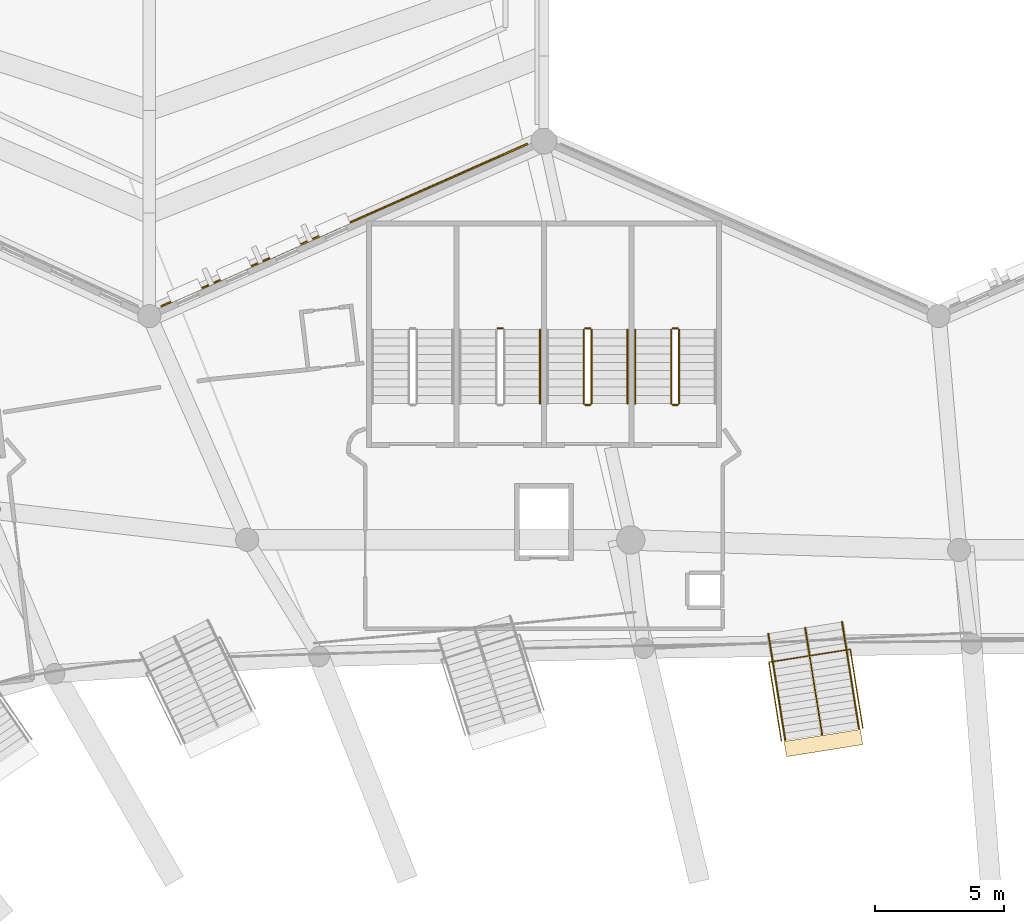
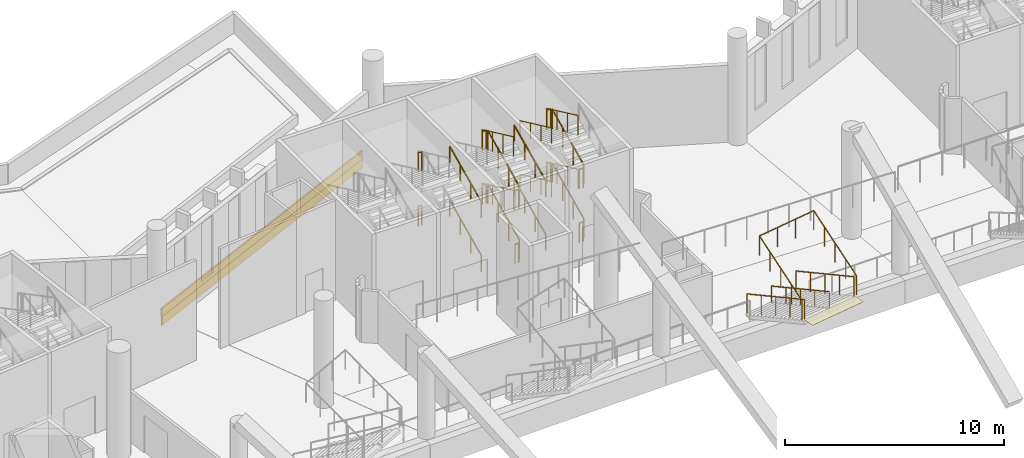
# One storey, part 156 of 173: 28 railings, 3 coverings.
"""IFC4 building model written with IfcOpenShell, lengths in metres."""

from ifc_helpers import new_model, si_unit, direction, frame, origin, origin_2d, place, context, subcontext, project, spatial, rectangle, circle, extrude, material, layer, layer_set, type_object, element, save


model = new_model("IFC4")

# Units and contexts
model_context = context("Model", 3, precision=1e-05, world=origin(), true_north=direction((0.0, 1.0)))
body_context = subcontext(model_context, "Body", "Model", "MODEL_VIEW")
ifc_project = project(units=[si_unit("LENGTHUNIT", "METRE"), si_unit("AREAUNIT", "SQUARE_METRE"), si_unit("VOLUMEUNIT", "CUBIC_METRE"), si_unit("PLANEANGLEUNIT", "RADIAN"), si_unit("MASSUNIT", "GRAM", prefix="KILO")], contexts=[model_context])

# Site, building, storey
site_placement = place(None, origin())
site = spatial("IfcSite", under=ifc_project, at=site_placement, CompositionType="ELEMENT")
building_placement = place(site_placement, origin())
building = spatial("IfcBuilding", under=site, at=building_placement, Name="Meseta Stadium", CompositionType="ELEMENT")
storey_placement = place(building_placement, frame((0.0, 0.0, 18.0)))
storey = spatial("IfcBuildingStorey", under=building, at=storey_placement, Name="L03", CompositionType="ELEMENT", Elevation=18.0)

# Covering
ifc_material_1 = material(Name="Guadarrama granite cladding", Category="masonry")
ifc_layer_1 = layer(ifc_material_1, 0.06005859375)
ifc_layer_set_1 = layer_set([ifc_layer_1], Name="Granite plinth cladding 60")
covering_type_1 = type_object("IfcCoveringType", Name="Granite plinth cladding 60", PredefinedType="CLADDING", material=ifc_layer_set_1)
covering_1_placement = place(storey_placement, frame((-30.752197265625, 102.131591796875, 0.0), z_axis=(0.0, 0.0, 1.0), x_axis=(0.914139367606, 0.405400069798, 0.0)))
element("IfcCovering", 1, at=covering_1_placement, inside=storey, type_object=covering_type_1, Name="Granite plinth L03 F20", PredefinedType="CLADDING", context=body_context, shape_type="SweptSolid", body=[
    extrude(rectangle(XDim=15.58447265625, YDim=0.06005859375, at=origin_2d()), origin(), (0.0, 0.0, 1.0), 0.5),
])

# Railings
ifc_material_2 = material(Name="Steel S355", Category="steel")
railing_type_1 = type_object("IfcRailingType", Name="Stair guard 1100", PredefinedType="GUARDRAIL", material=ifc_material_2)
railing_1_placement = place(storey_placement, frame((-17.75, 95.199951171875, 0.14990234375)))
element("IfcRailing", 2, at=railing_1_placement, inside=storey, type_object=railing_type_1, Name="ST41 L03 guard 1", PredefinedType="GUARDRAIL", context=body_context, shape_type="SweptSolid", body=[
    extrude(circle(Radius=0.02392578125, at=origin_2d()), frame((0.0, 0.0, 1.076171875), z_axis=(0.0, 0.905454327043, 0.424443708447), x_axis=(-1.0, 0.0, 0.0)), (0.0, 0.0, 1.0), 3.180908203125),
    extrude(circle(Radius=0.02099609375, at=origin_2d()), origin(), (0.0, 0.0, 1.0), 1.052001953125),
    extrude(circle(Radius=0.02099609375, at=origin_2d()), frame((0.0, 0.9599609375, 0.449951171875)), (0.0, 0.0, 1.0), 1.052001953125),
    extrude(circle(Radius=0.02099609375, at=origin_2d()), frame((0.0, 1.920166015625, 0.900146484375)), (0.0, 0.0, 1.0), 1.052001953125),
    extrude(circle(Radius=0.02099609375, at=origin_2d()), frame((0.0, 2.880126953125, 1.35009765625)), (0.0, 0.0, 1.0), 1.052001953125),
])
railing_2_placement = place(storey_placement, frame((-17.800048828125, 98.1298828125, 1.5)))
element("IfcRailing", 3, at=railing_2_placement, inside=storey, type_object=railing_type_1, Name="ST41 L03 guard 2", PredefinedType="GUARDRAIL", context=body_context, shape_type="SweptSolid", body=[
    extrude(circle(Radius=0.02392578125, at=origin_2d()), frame((0.0, 0.0, 1.076171875), z_axis=(-1.0, 0.0, 0.0), x_axis=(0.0, -1.0, 0.0)), (0.0, 0.0, 1.0), 0.199951171875),
    extrude(circle(Radius=0.02099609375, at=origin_2d()), origin(), (0.0, 0.0, 1.0), 1.052001953125),
    extrude(circle(Radius=0.02099609375, at=origin_2d()), frame((-0.199951171875, 0.0, 0.0)), (0.0, 0.0, 1.0), 1.052001953125),
])
railing_3_placement = place(storey_placement, frame((-18.050048828125, 98.080078125, 1.64990234375)))
element("IfcRailing", 4, at=railing_3_placement, inside=storey, type_object=railing_type_1, Name="ST41 L03 guard 3", PredefinedType="GUARDRAIL", context=body_context, shape_type="SweptSolid", body=[
    extrude(circle(Radius=0.02392578125, at=origin_2d()), frame((0.0, 0.0, 1.076171875), z_axis=(0.0, -0.905454327043, 0.424443708447), x_axis=(1.0, 0.0, 0.0)), (0.0, 0.0, 1.0), 3.180908203125),
    extrude(circle(Radius=0.02099609375, at=origin_2d()), origin(), (0.0, 0.0, 1.0), 1.052001953125),
    extrude(circle(Radius=0.02099609375, at=origin_2d()), frame((0.0, -0.9599609375, 0.449951171875)), (0.0, 0.0, 1.0), 1.052001953125),
    extrude(circle(Radius=0.02099609375, at=origin_2d()), frame((0.0, -1.920166015625, 0.900146484375)), (0.0, 0.0, 1.0), 1.052001953125),
    extrude(circle(Radius=0.02099609375, at=origin_2d()), frame((0.0, -2.880126953125, 1.35009765625)), (0.0, 0.0, 1.0), 1.052001953125),
])
railing_4_placement = place(storey_placement, frame((-17.800048828125, 95.14990234375, 3.0)))
element("IfcRailing", 5, at=railing_4_placement, inside=storey, type_object=railing_type_1, Name="ST41 L03 guard 4", PredefinedType="GUARDRAIL", context=body_context, shape_type="SweptSolid", body=[
    extrude(circle(Radius=0.02392578125, at=origin_2d()), frame((0.0, 0.0, 1.076171875), z_axis=(-1.0, 0.0, 0.0), x_axis=(0.0, -1.0, 0.0)), (0.0, 0.0, 1.0), 0.199951171875),
    extrude(circle(Radius=0.02099609375, at=origin_2d()), origin(), (0.0, 0.0, 1.0), 1.052001953125),
    extrude(circle(Radius=0.02099609375, at=origin_2d()), frame((-0.199951171875, 0.0, 0.0)), (0.0, 0.0, 1.0), 1.052001953125),
])
railing_5_placement = place(storey_placement, frame((-17.75, 95.199951171875, 3.14990234375)))
element("IfcRailing", 6, at=railing_5_placement, inside=storey, type_object=railing_type_1, Name="ST41 L03 guard 5", PredefinedType="GUARDRAIL", context=body_context, shape_type="SweptSolid", body=[
    extrude(circle(Radius=0.02392578125, at=origin_2d()), frame((0.0, 0.0, 1.076171875), z_axis=(0.0, 0.905454327043, 0.424443708447), x_axis=(-1.0, 0.0, 0.0)), (0.0, 0.0, 1.0), 3.180908203125),
    extrude(circle(Radius=0.02099609375, at=origin_2d()), origin(), (0.0, 0.0, 1.0), 1.052001953125),
    extrude(circle(Radius=0.02099609375, at=origin_2d()), frame((0.0, 0.9599609375, 0.449951171875)), (0.0, 0.0, 1.0), 1.052001953125),
    extrude(circle(Radius=0.02099609375, at=origin_2d()), frame((0.0, 1.920166015625, 0.900146484375)), (0.0, 0.0, 1.0), 1.052001953125),
    extrude(circle(Radius=0.02099609375, at=origin_2d()), frame((0.0, 2.880126953125, 1.35009765625)), (0.0, 0.0, 1.0), 1.052001953125),
])
railing_6_placement = place(storey_placement, frame((-17.800048828125, 98.1298828125, 4.5)))
element("IfcRailing", 7, at=railing_6_placement, inside=storey, type_object=railing_type_1, Name="ST41 L03 guard 6", PredefinedType="GUARDRAIL", context=body_context, shape_type="SweptSolid", body=[
    extrude(circle(Radius=0.02392578125, at=origin_2d()), frame((0.0, 0.0, 1.076171875), z_axis=(-1.0, 0.0, 0.0), x_axis=(0.0, -1.0, 0.0)), (0.0, 0.0, 1.0), 0.199951171875),
    extrude(circle(Radius=0.02099609375, at=origin_2d()), origin(), (0.0, 0.0, 1.0), 1.052001953125),
    extrude(circle(Radius=0.02099609375, at=origin_2d()), frame((-0.199951171875, 0.0, 0.0)), (0.0, 0.0, 1.0), 1.052001953125),
])
railing_7_placement = place(storey_placement, frame((-18.050048828125, 98.080078125, 4.64990234375)))
element("IfcRailing", 8, at=railing_7_placement, inside=storey, type_object=railing_type_1, Name="ST41 L03 guard 7", PredefinedType="GUARDRAIL", context=body_context, shape_type="SweptSolid", body=[
    extrude(circle(Radius=0.02392578125, at=origin_2d()), frame((0.0, 0.0, 1.076171875), z_axis=(0.0, -0.905454327043, 0.424443708447), x_axis=(1.0, 0.0, 0.0)), (0.0, 0.0, 1.0), 3.180908203125),
    extrude(circle(Radius=0.02099609375, at=origin_2d()), origin(), (0.0, 0.0, 1.0), 1.052001953125),
    extrude(circle(Radius=0.02099609375, at=origin_2d()), frame((0.0, -0.9599609375, 0.449951171875)), (0.0, 0.0, 1.0), 1.052001953125),
    extrude(circle(Radius=0.02099609375, at=origin_2d()), frame((0.0, -1.920166015625, 0.900146484375)), (0.0, 0.0, 1.0), 1.052001953125),
    extrude(circle(Radius=0.02099609375, at=origin_2d()), frame((0.0, -2.880126953125, 1.35009765625)), (0.0, 0.0, 1.0), 1.052001953125),
])
railing_8_placement = place(storey_placement, frame((-17.800048828125, 95.14990234375, 0.0)))
element("IfcRailing", 9, at=railing_8_placement, inside=storey, type_object=railing_type_1, Name="ST41 L03 guard 8", PredefinedType="GUARDRAIL", context=body_context, shape_type="SweptSolid", body=[
    extrude(circle(Radius=0.02392578125, at=origin_2d()), frame((0.0, 0.0, 1.076171875), z_axis=(-1.0, 0.0, 0.0), x_axis=(0.0, -1.0, 0.0)), (0.0, 0.0, 1.0), 0.199951171875),
    extrude(circle(Radius=0.02099609375, at=origin_2d()), origin(), (0.0, 0.0, 1.0), 1.052001953125),
    extrude(circle(Radius=0.02099609375, at=origin_2d()), frame((-0.199951171875, 0.0, 0.0)), (0.0, 0.0, 1.0), 1.052001953125),
])
railing_9_placement = place(storey_placement, frame((-21.14990234375, 95.199951171875, 0.14990234375)))
element("IfcRailing", 10, at=railing_9_placement, inside=storey, type_object=railing_type_1, Name="ST42 L03 guard 1", PredefinedType="GUARDRAIL", context=body_context, shape_type="SweptSolid", body=[
    extrude(circle(Radius=0.02392578125, at=origin_2d()), frame((0.0, 0.0, 1.076171875), z_axis=(0.0, 0.905454327043, 0.424443708447), x_axis=(-1.0, 0.0, 0.0)), (0.0, 0.0, 1.0), 3.180908203125),
    extrude(circle(Radius=0.02099609375, at=origin_2d()), origin(), (0.0, 0.0, 1.0), 1.052001953125),
    extrude(circle(Radius=0.02099609375, at=origin_2d()), frame((0.0, 0.9599609375, 0.449951171875)), (0.0, 0.0, 1.0), 1.052001953125),
    extrude(circle(Radius=0.02099609375, at=origin_2d()), frame((0.0, 1.920166015625, 0.900146484375)), (0.0, 0.0, 1.0), 1.052001953125),
    extrude(circle(Radius=0.02099609375, at=origin_2d()), frame((0.0, 2.880126953125, 1.35009765625)), (0.0, 0.0, 1.0), 1.052001953125),
])
railing_10_placement = place(storey_placement, frame((-21.199951171875, 98.1298828125, 1.5)))
element("IfcRailing", 11, at=railing_10_placement, inside=storey, type_object=railing_type_1, Name="ST42 L03 guard 2", PredefinedType="GUARDRAIL", context=body_context, shape_type="SweptSolid", body=[
    extrude(circle(Radius=0.02392578125, at=origin_2d()), frame((0.0, 0.0, 1.076171875), z_axis=(-1.0, 0.0, 0.0), x_axis=(0.0, -1.0, 0.0)), (0.0, 0.0, 1.0), 0.199951171875),
    extrude(circle(Radius=0.02099609375, at=origin_2d()), origin(), (0.0, 0.0, 1.0), 1.052001953125),
    extrude(circle(Radius=0.02099609375, at=origin_2d()), frame((-0.199951171875, 0.0, 0.0)), (0.0, 0.0, 1.0), 1.052001953125),
])
railing_11_placement = place(storey_placement, frame((-21.449951171875, 98.080078125, 1.64990234375)))
element("IfcRailing", 12, at=railing_11_placement, inside=storey, type_object=railing_type_1, Name="ST42 L03 guard 3", PredefinedType="GUARDRAIL", context=body_context, shape_type="SweptSolid", body=[
    extrude(circle(Radius=0.02392578125, at=origin_2d()), frame((0.0, 0.0, 1.076171875), z_axis=(0.0, -0.905454327043, 0.424443708447), x_axis=(1.0, 0.0, 0.0)), (0.0, 0.0, 1.0), 3.180908203125),
    extrude(circle(Radius=0.02099609375, at=origin_2d()), origin(), (0.0, 0.0, 1.0), 1.052001953125),
    extrude(circle(Radius=0.02099609375, at=origin_2d()), frame((0.0, -0.9599609375, 0.449951171875)), (0.0, 0.0, 1.0), 1.052001953125),
    extrude(circle(Radius=0.02099609375, at=origin_2d()), frame((0.0, -1.920166015625, 0.900146484375)), (0.0, 0.0, 1.0), 1.052001953125),
    extrude(circle(Radius=0.02099609375, at=origin_2d()), frame((0.0, -2.880126953125, 1.35009765625)), (0.0, 0.0, 1.0), 1.052001953125),
])
railing_12_placement = place(storey_placement, frame((-21.199951171875, 95.14990234375, 3.0)))
element("IfcRailing", 13, at=railing_12_placement, inside=storey, type_object=railing_type_1, Name="ST42 L03 guard 4", PredefinedType="GUARDRAIL", context=body_context, shape_type="SweptSolid", body=[
    extrude(circle(Radius=0.02392578125, at=origin_2d()), frame((0.0, 0.0, 1.076171875), z_axis=(-1.0, 0.0, 0.0), x_axis=(0.0, -1.0, 0.0)), (0.0, 0.0, 1.0), 0.199951171875),
    extrude(circle(Radius=0.02099609375, at=origin_2d()), origin(), (0.0, 0.0, 1.0), 1.052001953125),
    extrude(circle(Radius=0.02099609375, at=origin_2d()), frame((-0.199951171875, 0.0, 0.0)), (0.0, 0.0, 1.0), 1.052001953125),
])
railing_13_placement = place(storey_placement, frame((-21.14990234375, 95.199951171875, 3.14990234375)))
element("IfcRailing", 14, at=railing_13_placement, inside=storey, type_object=railing_type_1, Name="ST42 L03 guard 5", PredefinedType="GUARDRAIL", context=body_context, shape_type="SweptSolid", body=[
    extrude(circle(Radius=0.02392578125, at=origin_2d()), frame((0.0, 0.0, 1.076171875), z_axis=(0.0, 0.905454327043, 0.424443708447), x_axis=(-1.0, 0.0, 0.0)), (0.0, 0.0, 1.0), 3.180908203125),
    extrude(circle(Radius=0.02099609375, at=origin_2d()), origin(), (0.0, 0.0, 1.0), 1.052001953125),
    extrude(circle(Radius=0.02099609375, at=origin_2d()), frame((0.0, 0.9599609375, 0.449951171875)), (0.0, 0.0, 1.0), 1.052001953125),
    extrude(circle(Radius=0.02099609375, at=origin_2d()), frame((0.0, 1.920166015625, 0.900146484375)), (0.0, 0.0, 1.0), 1.052001953125),
    extrude(circle(Radius=0.02099609375, at=origin_2d()), frame((0.0, 2.880126953125, 1.35009765625)), (0.0, 0.0, 1.0), 1.052001953125),
])
railing_14_placement = place(storey_placement, frame((-21.199951171875, 98.1298828125, 4.5)))
element("IfcRailing", 15, at=railing_14_placement, inside=storey, type_object=railing_type_1, Name="ST42 L03 guard 6", PredefinedType="GUARDRAIL", context=body_context, shape_type="SweptSolid", body=[
    extrude(circle(Radius=0.02392578125, at=origin_2d()), frame((0.0, 0.0, 1.076171875), z_axis=(-1.0, 0.0, 0.0), x_axis=(0.0, -1.0, 0.0)), (0.0, 0.0, 1.0), 0.199951171875),
    extrude(circle(Radius=0.02099609375, at=origin_2d()), origin(), (0.0, 0.0, 1.0), 1.052001953125),
    extrude(circle(Radius=0.02099609375, at=origin_2d()), frame((-0.199951171875, 0.0, 0.0)), (0.0, 0.0, 1.0), 1.052001953125),
])
railing_15_placement = place(storey_placement, frame((-21.449951171875, 98.080078125, 4.64990234375)))
element("IfcRailing", 16, at=railing_15_placement, inside=storey, type_object=railing_type_1, Name="ST42 L03 guard 7", PredefinedType="GUARDRAIL", context=body_context, shape_type="SweptSolid", body=[
    extrude(circle(Radius=0.02392578125, at=origin_2d()), frame((0.0, 0.0, 1.076171875), z_axis=(0.0, -0.905454327043, 0.424443708447), x_axis=(1.0, 0.0, 0.0)), (0.0, 0.0, 1.0), 3.180908203125),
    extrude(circle(Radius=0.02099609375, at=origin_2d()), origin(), (0.0, 0.0, 1.0), 1.052001953125),
    extrude(circle(Radius=0.02099609375, at=origin_2d()), frame((0.0, -0.9599609375, 0.449951171875)), (0.0, 0.0, 1.0), 1.052001953125),
    extrude(circle(Radius=0.02099609375, at=origin_2d()), frame((0.0, -1.920166015625, 0.900146484375)), (0.0, 0.0, 1.0), 1.052001953125),
    extrude(circle(Radius=0.02099609375, at=origin_2d()), frame((0.0, -2.880126953125, 1.35009765625)), (0.0, 0.0, 1.0), 1.052001953125),
])
for number, where, name in (
    (17, (-21.199951171875, 95.14990234375, 0.0), "ST42 L03 guard 8"),
    (18, (-24.60009765625, 98.1298828125, 1.5), "ST43 L03 guard 2"),
    (19, (-24.60009765625, 98.1298828125, 4.5), "ST43 L03 guard 6"),
):
    element("IfcRailing", number, at=place(storey_placement, frame(where)), inside=storey, type_object=railing_type_1, Name=name, PredefinedType="GUARDRAIL", context=body_context, shape_type="SweptSolid", body=[
        extrude(circle(Radius=0.02392578125, at=origin_2d()), frame((0.0, 0.0, 1.076171875), z_axis=(-1.0, 0.0, 0.0), x_axis=(0.0, -1.0, 0.0)), (0.0, 0.0, 1.0), 0.199951171875),
        extrude(circle(Radius=0.02099609375, at=origin_2d()), origin(), (0.0, 0.0, 1.0), 1.052001953125),
        extrude(circle(Radius=0.02099609375, at=origin_2d()), frame((-0.199951171875, 0.0, 0.0)), (0.0, 0.0, 1.0), 1.052001953125),
    ])
ifc_material_3 = material(Name="Steel S355", Category="steel")
railing_type_2 = type_object("IfcRailingType", Name="Stair handrail 900", PredefinedType="HANDRAIL", material=ifc_material_3)
for number, where, name in (
    (20, (-19.449951171875, 98.080078125, 1.64990234375), "ST41 L03 handrail 2"),
    (21, (-19.449951171875, 98.080078125, 4.64990234375), "ST41 L03 handrail 4"),
):
    element("IfcRailing", number, at=place(storey_placement, frame(where)), inside=storey, type_object=railing_type_2, Name=name, PredefinedType="HANDRAIL", context=body_context, shape_type="SweptSolid", body=[
        extrude(circle(Radius=0.02392578125, at=origin_2d()), frame((0.0, 0.0, 0.8759765625), z_axis=(0.0, -0.905454327043, 0.424443708447), x_axis=(1.0, 0.0, 0.0)), (0.0, 0.0, 1.0), 3.180908203125),
        extrude(circle(Radius=0.02099609375, at=origin_2d()), origin(), (0.0, 0.0, 1.0), 0.851806640625),
        extrude(circle(Radius=0.02099609375, at=origin_2d()), frame((0.0, -0.9599609375, 0.449951171875)), (0.0, 0.0, 1.0), 0.851806640625),
        extrude(circle(Radius=0.02099609375, at=origin_2d()), frame((0.0, -1.920166015625, 0.900146484375)), (0.0, 0.0, 1.0), 0.851806640625),
        extrude(circle(Radius=0.02099609375, at=origin_2d()), frame((0.0, -2.880126953125, 1.35009765625)), (0.0, 0.0, 1.0), 0.851806640625),
    ])
for number, where, name in (
    (22, (-19.75, 95.199951171875, 0.14990234375), "ST42 L03 handrail 1"),
    (23, (-19.75, 95.199951171875, 3.14990234375), "ST42 L03 handrail 3"),
    (24, (-23.14990234375, 95.199951171875, 0.14990234375), "ST43 L03 handrail 1"),
    (25, (-23.14990234375, 95.199951171875, 3.14990234375), "ST43 L03 handrail 3"),
):
    element("IfcRailing", number, at=place(storey_placement, frame(where)), inside=storey, type_object=railing_type_2, Name=name, PredefinedType="HANDRAIL", context=body_context, shape_type="SweptSolid", body=[
        extrude(circle(Radius=0.02392578125, at=origin_2d()), frame((0.0, 0.0, 0.8759765625), z_axis=(0.0, 0.905454327043, 0.424443708447), x_axis=(-1.0, 0.0, 0.0)), (0.0, 0.0, 1.0), 3.180908203125),
        extrude(circle(Radius=0.02099609375, at=origin_2d()), origin(), (0.0, 0.0, 1.0), 0.851806640625),
        extrude(circle(Radius=0.02099609375, at=origin_2d()), frame((0.0, 0.9599609375, 0.449951171875)), (0.0, 0.0, 1.0), 0.851806640625),
        extrude(circle(Radius=0.02099609375, at=origin_2d()), frame((0.0, 1.920166015625, 0.900146484375)), (0.0, 0.0, 1.0), 0.851806640625),
        extrude(circle(Radius=0.02099609375, at=origin_2d()), frame((0.0, 2.880126953125, 1.35009765625)), (0.0, 0.0, 1.0), 0.851806640625),
    ])

# Coverings
ifc_material_4 = material(Name="Precast concrete C40/50, terracotta pigment", Category="masonry")
ifc_layer_2 = layer(ifc_material_4, 0.080078125)
ifc_layer_set_2 = layer_set([ifc_layer_2], Name="Precast concrete C40/50, terracotta pigment")
covering_type_2 = type_object("IfcCoveringType", Name="Terracotta precast band 80", PredefinedType="CLADDING", material=ifc_layer_set_2)
covering_2_placement = place(storey_placement, frame((-30.75634765625, 102.140625, 0.5), z_axis=(0.0, 0.0, 1.0), x_axis=(0.914139367606, 0.405400069798, 0.0)))
element("IfcCovering", 26, at=covering_2_placement, inside=storey, type_object=covering_type_2, Name="Terracotta band L03 F20", PredefinedType="CLADDING", context=body_context, shape_type="SweptSolid", body=[
    extrude(rectangle(XDim=15.58447265625, YDim=0.080078125, at=origin_2d()), origin(), (0.0, 0.0, 1.0), 0.449951171875),
])
ifc_material_5 = material(Name="Stone paving", Category="masonry")
ifc_layer_3 = layer(ifc_material_5, 0.02001953125)
ifc_layer_set_3 = layer_set([ifc_layer_3], Name="Vomitory exit threshold plate 20")
covering_type_3 = type_object("IfcCoveringType", Name="Vomitory exit threshold plate 20", PredefinedType="FLOORING", material=ifc_layer_set_3)
covering_3_placement = place(storey_placement, frame((-12.13916015625, 82.013427734375, 2.077880859375), z_axis=(0.0, 0.0, 1.0), x_axis=(0.15676715754, -0.987635589839, 0.0)))
element("IfcCovering", 27, at=covering_3_placement, inside=storey, type_object=covering_type_3, Name="Vomitory V-upper-20 exit threshold", PredefinedType="FLOORING", context=body_context, shape_type="SweptSolid", body=[
    extrude(rectangle(XDim=0.60009765625, YDim=3.0, at=origin_2d()), origin(), (0.0, 0.0, 1.0), 0.02001953125),
])

# Railings
ifc_material_6 = material(Name="Steel S355", Category="steel")
railing_type_3 = type_object("IfcRailingType", Name="Vomitory slot guard 1100", PredefinedType="GUARDRAIL", material=ifc_material_6)
railing_16_placement = place(storey_placement, frame((-13.771728515625, 82.092529296875, 2.097900390625)))
element("IfcRailing", 28, at=railing_16_placement, inside=storey, type_object=railing_type_3, Name="Vomitory V-upper-20 slot guard", PredefinedType="GUARDRAIL", context=body_context, shape_type="SweptSolid", body=[
    extrude(circle(Radius=0.02490234375, at=origin_2d()), frame((0.0, 0.0, 1.0751953125), z_axis=(-0.132963749963, 0.83751802526, 0.529985092772), x_axis=(-0.987631076604, -0.156795588352, 0.0)), (0.0, 0.0, 1.0), 3.65576171875),
    extrude(circle(Radius=0.02490234375, at=origin_2d()), frame((-0.486083984375, 3.061767578125, 3.0126953125), z_axis=(0.987644527037, 0.156710842683, 0.0), x_axis=(-0.156710842683, 0.987644527037, 0.0)), (0.0, 0.0, 1.0), 3.199951171875),
    extrude(circle(Radius=0.02490234375, at=origin_2d()), frame((2.67431640625, 3.563232421875, 3.0126953125), z_axis=(0.132963749963, -0.83751802526, -0.529985092772), x_axis=(0.987631076604, 0.156795588352, 0.0)), (0.0, 0.0, 1.0), 3.65576171875),
    extrude(circle(Radius=0.02001953125, at=origin_2d()), origin(), (0.0, 0.0, 1.0), 1.050048828125),
    extrude(circle(Radius=0.02001953125, at=origin_2d()), frame((-0.12158203125, 0.765380859375, 0.484375)), (0.0, 0.0, 1.0), 1.050048828125),
    extrude(circle(Radius=0.02001953125, at=origin_2d()), frame((-0.2431640625, 1.53076171875, 0.96875)), (0.0, 0.0, 1.0), 1.050048828125),
    extrude(circle(Radius=0.02001953125, at=origin_2d()), frame((-0.364501953125, 2.29638671875, 1.453125)), (0.0, 0.0, 1.0), 1.050048828125),
    extrude(circle(Radius=0.02001953125, at=origin_2d()), frame((-0.486083984375, 3.061767578125, 1.9375)), (0.0, 0.0, 1.0), 1.050048828125),
    extrude(circle(Radius=0.02001953125, at=origin_2d()), frame((0.5673828125, 3.22900390625, 1.9375)), (0.0, 0.0, 1.0), 1.050048828125),
    extrude(circle(Radius=0.02001953125, at=origin_2d()), frame((1.620849609375, 3.39599609375, 1.9375)), (0.0, 0.0, 1.0), 1.050048828125),
    extrude(circle(Radius=0.02001953125, at=origin_2d()), frame((2.67431640625, 3.563232421875, 1.9375)), (0.0, 0.0, 1.0), 1.050048828125),
    extrude(circle(Radius=0.02001953125, at=origin_2d()), frame((2.7958984375, 2.7978515625, 1.453125)), (0.0, 0.0, 1.0), 1.050048828125),
    extrude(circle(Radius=0.02001953125, at=origin_2d()), frame((2.91748046875, 2.0322265625, 0.96875)), (0.0, 0.0, 1.0), 1.050048828125),
    extrude(circle(Radius=0.02001953125, at=origin_2d()), frame((3.038818359375, 1.266845703125, 0.484375)), (0.0, 0.0, 1.0), 1.050048828125),
    extrude(circle(Radius=0.02001953125, at=origin_2d()), frame((3.160400390625, 0.50146484375, 0.0)), (0.0, 0.0, 1.0), 1.050048828125),
])
ifc_material_7 = material(Name="Steel S355", Category="steel")
railing_type_4 = type_object("IfcRailingType", Name="Vomitory stair guard 1100", PredefinedType="GUARDRAIL", material=ifc_material_7)
for number, where, name in (
    (29, (-11.41796875, 86.71875, 0.131103515625), "Vomitory V-upper-20 guard left"),
    (30, (-14.281982421875, 86.26416015625, 0.131103515625), "Vomitory V-upper-20 guard right"),
):
    element("IfcRailing", number, at=place(storey_placement, frame(where)), inside=storey, type_object=railing_type_4, Name=name, PredefinedType="GUARDRAIL", context=body_context, shape_type="SweptSolid", body=[
        extrude(circle(Radius=0.02490234375, at=origin_2d()), frame((0.0, 0.0, 1.0751953125), z_axis=(0.141973518733, -0.894427903893, 0.424078111574), x_axis=(0.987635385611, 0.156768444176, 0.0)), (0.0, 0.0, 1.0), 4.637939453125),
        extrude(circle(Radius=0.02001953125, at=origin_2d()), origin(), (0.0, 0.0, 1.0), 1.050048828125),
        extrude(circle(Radius=0.02001953125, at=origin_2d()), frame((0.16455078125, -1.037109375, 0.49169921875)), (0.0, 0.0, 1.0), 1.050048828125),
        extrude(circle(Radius=0.02001953125, at=origin_2d()), frame((0.3291015625, -2.07421875, 0.9833984375)), (0.0, 0.0, 1.0), 1.050048828125),
        extrude(circle(Radius=0.02001953125, at=origin_2d()), frame((0.493896484375, -3.111083984375, 1.47509765625)), (0.0, 0.0, 1.0), 1.050048828125),
        extrude(circle(Radius=0.02001953125, at=origin_2d()), frame((0.658447265625, -4.148193359375, 1.966796875)), (0.0, 0.0, 1.0), 1.050048828125),
    ])
ifc_material_8 = material(Name="Steel S355", Category="steel")
railing_type_5 = type_object("IfcRailingType", Name="Vomitory stair handrail 900", PredefinedType="HANDRAIL", material=ifc_material_8)
railing_17_placement = place(storey_placement, frame((-12.85009765625, 86.491455078125, 0.131103515625)))
element("IfcRailing", 31, at=railing_17_placement, inside=storey, type_object=railing_type_5, Name="Vomitory V-upper-20 central handrail", PredefinedType="HANDRAIL", context=body_context, shape_type="SweptSolid", body=[
    extrude(circle(Radius=0.02490234375, at=origin_2d()), frame((0.0, 0.0, 0.875), z_axis=(0.141973518733, -0.894427903893, 0.424078111574), x_axis=(0.987635385611, 0.156768444176, 0.0)), (0.0, 0.0, 1.0), 4.637939453125),
    extrude(circle(Radius=0.02001953125, at=origin_2d()), origin(), (0.0, 0.0, 1.0), 0.849853515625),
    extrude(circle(Radius=0.02001953125, at=origin_2d()), frame((0.16455078125, -1.037109375, 0.49169921875)), (0.0, 0.0, 1.0), 0.849853515625),
    extrude(circle(Radius=0.02001953125, at=origin_2d()), frame((0.3291015625, -2.07421875, 0.9833984375)), (0.0, 0.0, 1.0), 0.849853515625),
    extrude(circle(Radius=0.02001953125, at=origin_2d()), frame((0.493896484375, -3.111083984375, 1.47509765625)), (0.0, 0.0, 1.0), 0.849853515625),
    extrude(circle(Radius=0.02001953125, at=origin_2d()), frame((0.658447265625, -4.148193359375, 1.966796875)), (0.0, 0.0, 1.0), 0.849853515625),
])

save(model, "model.ifc")
